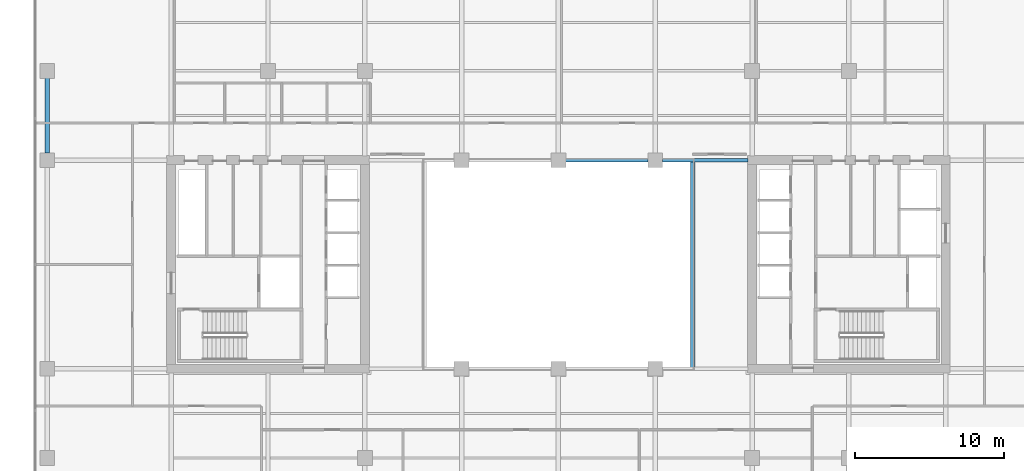
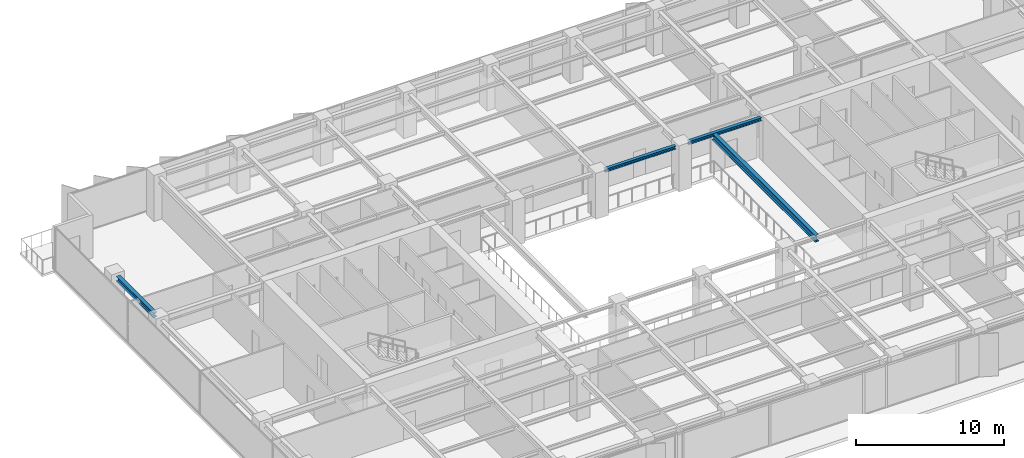
# One storey, part 7 of 22: 4 beams.
"""IFC4 building model written with IfcOpenShell, lengths in metres."""

from ifc_helpers import new_model, si_unit, direction, frame, origin, origin_2d, place, context, subcontext, project, spatial, i_section, extrude, material, material_profile, profile_set, type_object, element, save


model = new_model("IFC4")

# Units and contexts
model_context = context("Model", 3, precision=1e-05, world=origin(), true_north=direction((0.0, 1.0)))
body_context = subcontext(model_context, "Body", "Model", "MODEL_VIEW")
ifc_project = project(units=[si_unit("LENGTHUNIT", "METRE"), si_unit("AREAUNIT", "SQUARE_METRE"), si_unit("VOLUMEUNIT", "CUBIC_METRE"), si_unit("PLANEANGLEUNIT", "RADIAN"), si_unit("MASSUNIT", "GRAM", prefix="KILO")], contexts=[model_context])

# Site, building, storey
site_placement = place(None, origin())
site = spatial("IfcSite", under=ifc_project, at=site_placement, CompositionType="ELEMENT")
building_placement = place(site_placement, origin())
building = spatial("IfcBuilding", under=site, at=building_placement, Name="Putna Gate Headquarters", CompositionType="ELEMENT")
storey_placement = place(building_placement, frame((0.0, 0.0, 144.199951171875)))
storey = spatial("IfcBuildingStorey", under=building, at=storey_placement, Name="L35", CompositionType="ELEMENT", Elevation=144.199951171875)

# Beams
ifc_material = material(Name="Steel S355J2", Category="steel")
ifc_material_profile_1 = material_profile(ifc_material, i_section(OverallWidth=0.260009765625, OverallDepth=0.260009765625, WebThickness=0.010009765625, FlangeThickness=0.017578125, at=origin_2d()), Name="Steel S355J2")
ifc_profile_set_1 = profile_set([ifc_material_profile_1], Name="Steel S355J2")
beam_type_1 = type_object("IfcBeamType", Name="BM-ATRIUM-HEB260", PredefinedType="BEAM", material=ifc_profile_set_1)
beam_1_placement = place(storey_placement, frame((39.488037109375, 33.0, 3.442138671875), z_axis=(1.0, 0.0, 0.0), x_axis=(0.0, 1.0, 0.0)))
element("IfcBeam", 1, at=beam_1_placement, inside=storey, type_object=beam_type_1, Name="L35 Atrium Edge Beam AN3", PredefinedType="BEAM", context=body_context, shape_type="SweptSolid", body=[
    extrude(i_section(OverallWidth=0.260009765625, OverallDepth=0.260009765625, WebThickness=0.010009765625, FlangeThickness=0.017578125, at=origin_2d()), origin(), (0.0, 0.0, 1.0), 5.52392578125),
])
beam_2_placement = place(storey_placement, frame((45.988037109375, 33.0, 3.442138671875), z_axis=(1.0, 0.0, 0.0), x_axis=(0.0, 1.0, 0.0)))
element("IfcBeam", 2, at=beam_2_placement, inside=storey, type_object=beam_type_1, Name="L35 Atrium Edge Beam AN4", PredefinedType="BEAM", context=body_context, shape_type="SweptSolid", body=[
    extrude(i_section(OverallWidth=0.260009765625, OverallDepth=0.260009765625, WebThickness=0.010009765625, FlangeThickness=0.017578125, at=origin_2d()), origin(), (0.0, 0.0, 1.0), 5.72705078125),
])
ifc_material_profile_2 = material_profile(ifc_material, i_section(OverallWidth=0.300048828125, OverallDepth=0.550048828125, WebThickness=0.014892578125, FlangeThickness=0.029052734375, at=origin_2d()), Name="Steel S355J2")
ifc_profile_set_2 = profile_set([ifc_material_profile_2], Name="Steel S355J2")
beam_type_2 = type_object("IfcBeamType", Name="BM-GIRD-Z3-HEB550", PredefinedType="USERDEFINED", material=ifc_profile_set_2)
beam_3_placement = place(storey_placement, frame((48.0, 19.010009765625, 3.297119140625), z_axis=(0.0, 1.0, 0.0), x_axis=(-1.0, 0.0, 0.0)))
element("IfcBeam", 3, at=beam_3_placement, inside=storey, type_object=beam_type_2, Name="L35 Atrium Trim Girder AE", ObjectType="GIRDER", PredefinedType="USERDEFINED", context=body_context, shape_type="SweptSolid", body=[
    extrude(i_section(OverallWidth=0.300048828125, OverallDepth=0.550048828125, WebThickness=0.014892578125, FlangeThickness=0.029052734375, at=origin_2d()), origin(), (0.0, 0.0, 1.0), 13.97998046875),
])
ifc_material_profile_3 = material_profile(ifc_material, i_section(OverallWidth=0.300048828125, OverallDepth=0.39990234375, WebThickness=0.013427734375, FlangeThickness=0.02392578125, at=origin_2d()), Name="Steel S355J2")
ifc_profile_set_3 = profile_set([ifc_material_profile_3], Name="Steel S355J2")
beam_type_3 = type_object("IfcBeamType", Name="BM-SPAN-Z3-HEB400", PredefinedType="SPANDREL", material=ifc_profile_set_3)
beam_4_placement = place(storey_placement, frame((4.679931640625, 33.488037109375, 3.3720703125), z_axis=(0.0, 1.0, 0.0), x_axis=(-1.0, 0.0, 0.0)))
element("IfcBeam", 4, at=beam_4_placement, inside=storey, type_object=beam_type_3, Name="L35 W End Spandrel 3", PredefinedType="SPANDREL", context=body_context, shape_type="SweptSolid", body=[
    extrude(i_section(OverallWidth=0.300048828125, OverallDepth=0.39990234375, WebThickness=0.013427734375, FlangeThickness=0.02392578125, at=origin_2d()), origin(), (0.0, 0.0, 1.0), 5.02392578125),
])

save(model, "model.ifc")
